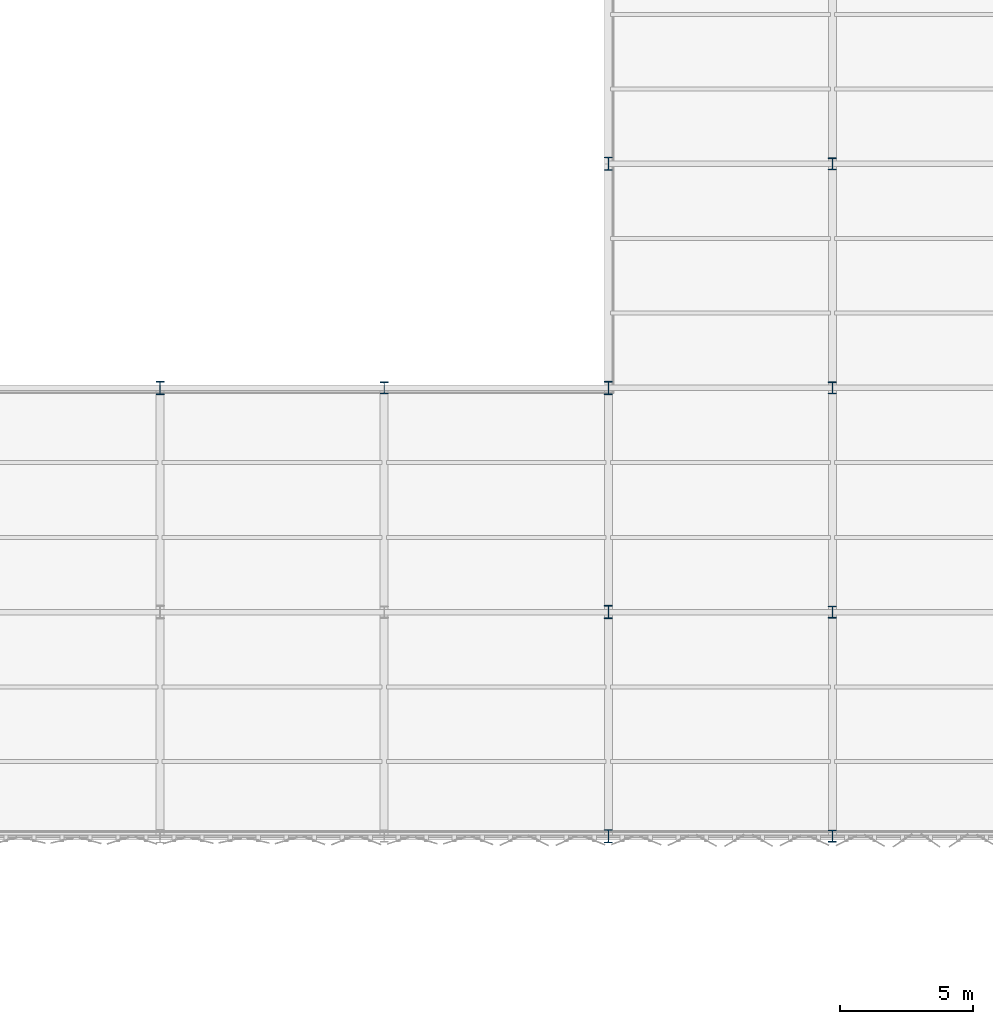
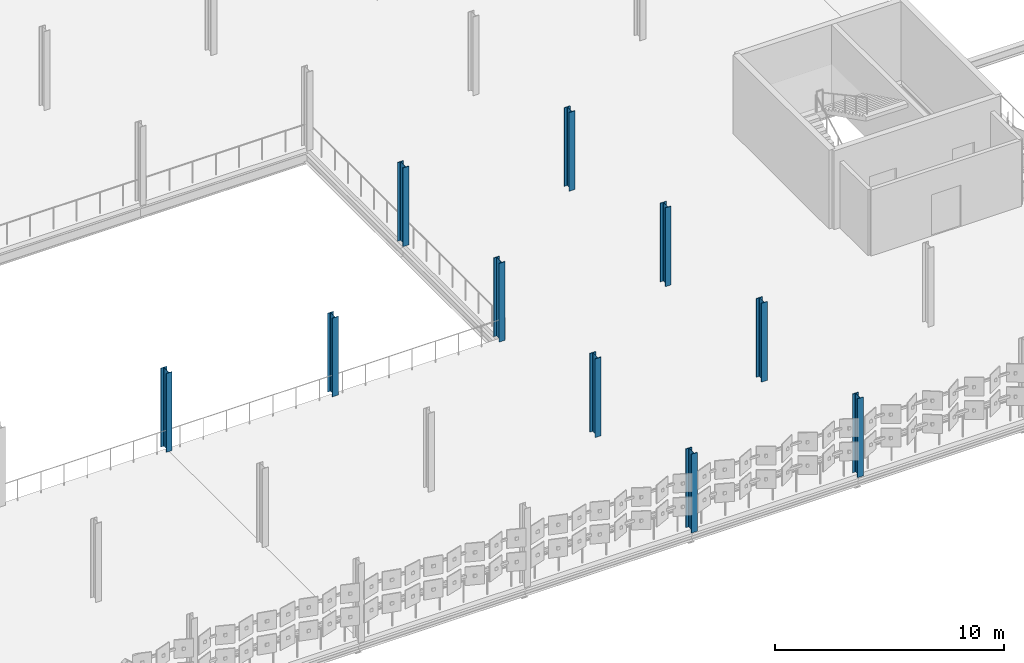
# One storey, part 7 of 69: 10 columns.
"""IFC4 building model written with IfcOpenShell, lengths in metres."""

from ifc_helpers import new_model, si_unit, direction, frame, origin, origin_2d, place, context, subcontext, project, spatial, i_section, extrude, material, material_profile, profile_set, type_object, element, save


model = new_model("IFC4")

# Units and contexts
model_context = context("Model", 3, precision=1e-05, world=origin(), true_north=direction((0.0, 1.0)))
body_context = subcontext(model_context, "Body", "Model", "MODEL_VIEW")
ifc_project = project(units=[si_unit("LENGTHUNIT", "METRE"), si_unit("AREAUNIT", "SQUARE_METRE"), si_unit("VOLUMEUNIT", "CUBIC_METRE"), si_unit("PLANEANGLEUNIT", "RADIAN"), si_unit("MASSUNIT", "GRAM", prefix="KILO")], contexts=[model_context])

# Site, building, storey
site_placement = place(None, origin())
site = spatial("IfcSite", under=ifc_project, at=site_placement, CompositionType="ELEMENT")
building_placement = place(site_placement, origin())
building = spatial("IfcBuilding", under=site, at=building_placement, Name="Qalvenar Corner Mobility Hub", CompositionType="ELEMENT")
storey_placement = place(building_placement, frame((0.0, 0.0, 13.199951171875)))
storey = spatial("IfcBuildingStorey", under=building, at=storey_placement, Name="L03", CompositionType="ELEMENT", Elevation=13.199951171875)

# Columns
ifc_material = material(Name="Steel S355", Category="steel")
ifc_material_profile_1 = material_profile(ifc_material, i_section(OverallWidth=0.300048828125, OverallDepth=0.449951171875, WebThickness=0.013916015625, FlangeThickness=0.02587890625, FilletRadius=0.027099609375, at=origin_2d()), Name="HEB450")
ifc_profile_set_1 = profile_set([ifc_material_profile_1], Name="Steel S355")
column_type_1 = type_object("IfcColumnType", Name="COL-HEB450", PredefinedType="COLUMN", material=ifc_profile_set_1)
for number, where, z_axis, x_axis, name in (
    (1, (109.199951171875, 84.0, 0.0), (0.0, 0.0, 1.0), (1.0, 0.0, 0.0), "Steel Column L03-G14-10"),
    (2, (126.0, 67.199951171875, 0.0), (0.0, 0.0, 1.0), (1.0, 0.0, 0.0), "Steel Column L03-G16-8"),
    (3, (126.0, 75.60009765625, 0.0), (0.0, 0.0, 1.0), (1.0, 0.0, 0.0), "Steel Column L03-G16-9"),
    (4, (126.0, 84.0, 0.0), (0.0, 0.0, 1.0), (1.0, 0.0, 0.0), "Steel Column L03-G16-10"),
    (5, (126.0, 92.39990234375, 0.0), (0.0, 0.0, 1.0), (1.0, 0.0, 0.0), "Steel Column L03-G16-11"),
):
    element("IfcColumn", number, at=place(storey_placement, frame(where, z_axis=z_axis, x_axis=x_axis)), inside=storey, type_object=column_type_1, Name=name, PredefinedType="COLUMN", context=body_context, shape_type="SweptSolid", body=[
        extrude(i_section(OverallWidth=0.300048828125, OverallDepth=0.449951171875, WebThickness=0.013916015625, FlangeThickness=0.02587890625, FilletRadius=0.027099609375, at=origin_2d()), origin(), (0.0, 0.0, 1.0), 4.199951171875),
    ])
ifc_material_profile_2 = material_profile(ifc_material, i_section(OverallWidth=0.300048828125, OverallDepth=0.5, WebThickness=0.014404296875, FlangeThickness=0.028076171875, FilletRadius=0.027099609375, at=origin_2d()), Name="HEB500")
ifc_profile_set_2 = profile_set([ifc_material_profile_2], Name="Steel S355")
column_type_2 = type_object("IfcColumnType", Name="COL-HEB500", PredefinedType="COLUMN", material=ifc_profile_set_2)
for number, where, z_axis, x_axis, name in (
    (6, (100.800048828125, 84.0, 0.0), (0.0, 0.0, 1.0), (1.0, 0.0, 0.0), "Steel Column L03-G13-10"),
    (7, (117.60009765625, 67.199951171875, 0.0), (0.0, 0.0, 1.0), (1.0, 0.0, 0.0), "Steel Column L03-G15-8"),
    (8, (117.60009765625, 75.60009765625, 0.0), (0.0, 0.0, 1.0), (1.0, 0.0, 0.0), "Steel Column L03-G15-9"),
    (9, (117.60009765625, 84.0, 0.0), (0.0, 0.0, 1.0), (1.0, 0.0, 0.0), "Steel Column L03-G15-10"),
    (10, (117.60009765625, 92.39990234375, 0.0), (0.0, 0.0, 1.0), (1.0, 0.0, 0.0), "Steel Column L03-G15-11"),
):
    element("IfcColumn", number, at=place(storey_placement, frame(where, z_axis=z_axis, x_axis=x_axis)), inside=storey, type_object=column_type_2, Name=name, PredefinedType="COLUMN", context=body_context, shape_type="SweptSolid", body=[
        extrude(i_section(OverallWidth=0.300048828125, OverallDepth=0.5, WebThickness=0.014404296875, FlangeThickness=0.028076171875, FilletRadius=0.027099609375, at=origin_2d()), origin(), (0.0, 0.0, 1.0), 4.199951171875),
    ])

save(model, "model.ifc")
